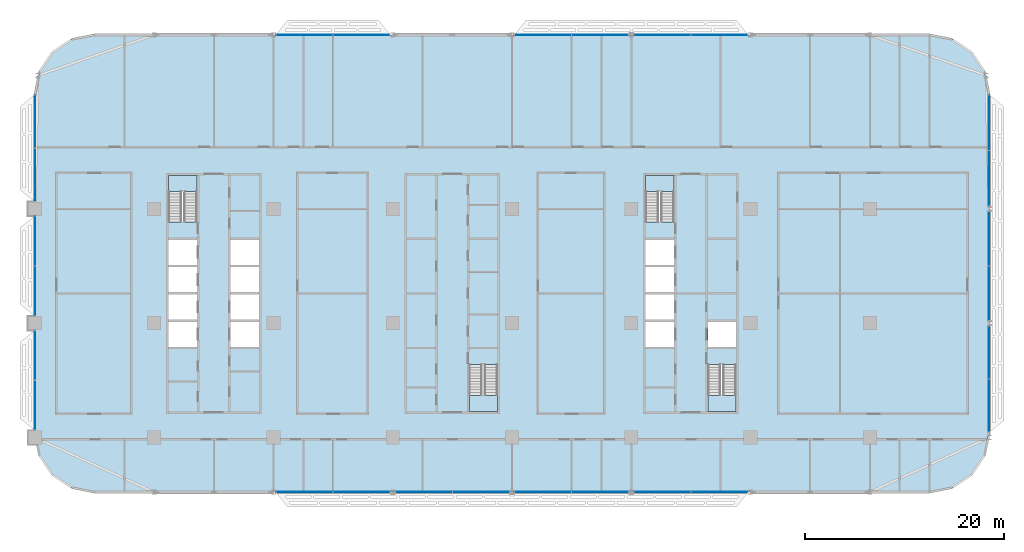
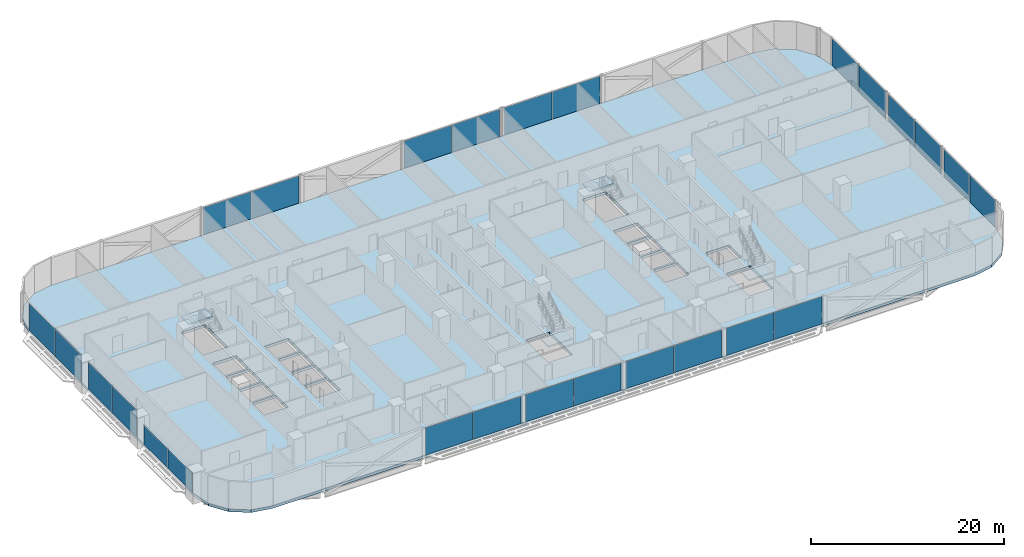
# One storey, part 11 of 29: 26 plates, 5 slabs, 17 elements without a shape of their own.
"""IFC4 building model written with IfcOpenShell, lengths in metres."""

from ifc_helpers import new_model, si_unit, direction, frame, origin, origin_2d, place, context, subcontext, project, spatial, polyline, rectangle, outline, extrude, material, layer, layer_set, type_object, element, aggregate, save


model = new_model("IFC4")

# Units and contexts
model_context = context("Model", 3, precision=1e-05, world=origin(), true_north=direction((0.0, 1.0)))
body_context = subcontext(model_context, "Body", "Model", "MODEL_VIEW")
ifc_project = project(units=[si_unit("LENGTHUNIT", "METRE"), si_unit("AREAUNIT", "SQUARE_METRE"), si_unit("VOLUMEUNIT", "CUBIC_METRE"), si_unit("PLANEANGLEUNIT", "RADIAN"), si_unit("MASSUNIT", "GRAM", prefix="KILO")], contexts=[model_context])

# Site, building, storey
site_placement = place(None, origin())
site = spatial("IfcSite", under=ifc_project, at=site_placement, CompositionType="ELEMENT")
building_placement = place(site_placement, origin())
building = spatial("IfcBuilding", under=site, at=building_placement, Name="Mahtab Terrace Research Tower", CompositionType="ELEMENT")
storey_placement = place(building_placement, frame((0.0, 0.0, 113.5)))
storey = spatial("IfcBuildingStorey", under=building, at=storey_placement, Name="L26", CompositionType="ELEMENT", Elevation=113.5)

# Stair, slab
ifc_material_1 = material(Name="Exit stair half-turn")
stair_type = type_object("IfcStairType", Name="Exit stair half-turn", PredefinedType="HALF_TURN_STAIR", material=ifc_material_1)
stair_1_placement = place(storey_placement, origin())
stair_1 = element("IfcStair", 1, at=stair_1_placement, inside=storey, type_object=stair_type, Name="L26 Protected exit stair ST1", PredefinedType="HALF_TURN_STAIR")
ifc_material_2 = material(Name="Concrete C40/50", Category="concrete")
ifc_layer_1 = layer(ifc_material_2, 0.199951171875)
ifc_layer_set_1 = layer_set([ifc_layer_1], Name="Exit stair landing 200")
slab_type_1 = type_object("IfcSlabType", Name="Exit stair landing 200", PredefinedType="LANDING", material=ifc_layer_set_1)
slab_1_placement = place(storey_placement, frame((0.0, 0.0, 1.85009765625)))
slab_1 = element("IfcSlab", 2, at=slab_1_placement, type_object=slab_type_1, Name="ST1 landing 1", PredefinedType="LANDING", context=body_context, shape_type="SweptSolid", body=[
    extrude(outline(polyline([(-25.699951171875, 13.2548828125), (-25.699951171875, 14.875), (-28.550048828125, 14.875), (-28.550048828125, 13.2548828125), (-25.699951171875, 13.2548828125)])), origin(), (0.0, 0.0, 1.0), 0.199951171875),
])
aggregate(stair_1, [slab_1])

stair_2_placement = place(storey_placement, origin())
stair_2 = element("IfcStair", 3, at=stair_2_placement, inside=storey, type_object=stair_type, Name="L26 Protected exit stair ST2", PredefinedType="HALF_TURN_STAIR")
slab_2_placement = place(storey_placement, frame((0.0, 0.0, 1.85009765625)))
slab_2 = element("IfcSlab", 4, at=slab_2_placement, type_object=slab_type_1, Name="ST2 landing 1", PredefinedType="LANDING", context=body_context, shape_type="SweptSolid", body=[
    extrude(outline(polyline([(1.699951171875, -7.2548828125), (1.699951171875, -8.875), (4.550048828125, -8.875), (4.550048828125, -7.2548828125), (1.699951171875, -7.2548828125)])), origin(), (0.0, 0.0, 1.0), 0.199951171875),
])
aggregate(stair_2, [slab_2])

stair_3_placement = place(storey_placement, origin())
stair_3 = element("IfcStair", 5, at=stair_3_placement, inside=storey, type_object=stair_type, Name="L26 Protected exit stair ST3", PredefinedType="HALF_TURN_STAIR")
slab_3_placement = place(storey_placement, frame((0.0, 0.0, 1.85009765625)))
slab_3 = element("IfcSlab", 6, at=slab_3_placement, type_object=slab_type_1, Name="ST3 landing 1", PredefinedType="LANDING", context=body_context, shape_type="SweptSolid", body=[
    extrude(outline(polyline([(22.300048828125, 13.2548828125), (22.300048828125, 14.875), (19.449951171875, 14.875), (19.449951171875, 13.2548828125), (22.300048828125, 13.2548828125)])), origin(), (0.0, 0.0, 1.0), 0.199951171875),
])
aggregate(stair_3, [slab_3])

stair_4_placement = place(storey_placement, origin())
stair_4 = element("IfcStair", 7, at=stair_4_placement, inside=storey, type_object=stair_type, Name="L26 Protected exit stair ST4", PredefinedType="HALF_TURN_STAIR")
slab_4_placement = place(storey_placement, frame((0.0, 0.0, 1.85009765625)))
slab_4 = element("IfcSlab", 8, at=slab_4_placement, type_object=slab_type_1, Name="ST4 landing 1", PredefinedType="LANDING", context=body_context, shape_type="SweptSolid", body=[
    extrude(outline(polyline([(25.699951171875, -7.2548828125), (25.699951171875, -8.875), (28.550048828125, -8.875), (28.550048828125, -7.2548828125), (25.699951171875, -7.2548828125)])), origin(), (0.0, 0.0, 1.0), 0.199951171875),
])
aggregate(stair_4, [slab_4])

# Curtain wall, plates
ifc_material_3 = material(Name="Laboratory ribbon curtain wall")
curtain_wall_type = type_object("IfcCurtainWallType", Name="Laboratory ribbon curtain wall", PredefinedType="NOTDEFINED", material=ifc_material_3)
curtain_wall_1_placement = place(storey_placement, origin())
curtain_wall_1 = element("IfcCurtainWall", 9, at=curtain_wall_1_placement, inside=storey, type_object=curtain_wall_type, Name="EN.L26.3.5", PredefinedType="NOTDEFINED")
ifc_material_4 = material(Name="Dark glazing", Category="glass")
ifc_layer_2 = layer(ifc_material_4, 0.031982421875)
ifc_layer_set_2 = layer_set([ifc_layer_2], Name="Laboratory ribbon curtain wall glazing panel")
plate_type = type_object("IfcPlateType", Name="Laboratory ribbon curtain wall glazing panel", PredefinedType="CURTAIN_PANEL", material=ifc_layer_set_2)
plate_1_placement = place(storey_placement, frame((26.86962890625, 29.0, 0.0), z_axis=(0.0, 0.0, 1.0), x_axis=(-1.0, 0.0, 0.0)))
plate_1 = element("IfcPlate", 10, at=plate_1_placement, type_object=plate_type, Name="CWL-3 panel 1", PredefinedType="CURTAIN_PANEL", context=body_context, shape_type="SweptSolid", body=[
    extrude(rectangle(XDim=5.674560546875, YDim=0.031982421875, at=origin_2d()), origin(), (0.0, 0.0, 1.0), 3.449951171875),
])
plate_2_placement = place(storey_placement, frame((21.13037109375, 29.0, 0.0), z_axis=(0.0, 0.0, 1.0), x_axis=(-1.0, 0.0, 0.0)))
plate_2 = element("IfcPlate", 11, at=plate_2_placement, type_object=plate_type, Name="CWL-3 panel 2", PredefinedType="CURTAIN_PANEL", context=body_context, shape_type="SweptSolid", body=[
    extrude(rectangle(XDim=5.674560546875, YDim=0.031982421875, at=origin_2d()), origin(), (0.0, 0.0, 1.0), 3.449951171875),
])
aggregate(curtain_wall_1, [plate_1, plate_2])

curtain_wall_2_placement = place(storey_placement, origin())
curtain_wall_2 = element("IfcCurtainWall", 12, at=curtain_wall_2_placement, inside=storey, type_object=curtain_wall_type, Name="EN.L26.3.6", PredefinedType="NOTDEFINED")
plate_3_placement = place(storey_placement, frame((14.86962890625, 29.0, 0.0), z_axis=(0.0, 0.0, 1.0), x_axis=(-1.0, 0.0, 0.0)))
plate_3 = element("IfcPlate", 13, at=plate_3_placement, type_object=plate_type, Name="CWL-3 panel 1", PredefinedType="CURTAIN_PANEL", context=body_context, shape_type="SweptSolid", body=[
    extrude(rectangle(XDim=5.674560546875, YDim=0.031982421875, at=origin_2d()), origin(), (0.0, 0.0, 1.0), 3.449951171875),
])
plate_4_placement = place(storey_placement, frame((9.13037109375, 29.0, 0.0), z_axis=(0.0, 0.0, 1.0), x_axis=(-1.0, 0.0, 0.0)))
plate_4 = element("IfcPlate", 14, at=plate_4_placement, type_object=plate_type, Name="CWL-3 panel 2", PredefinedType="CURTAIN_PANEL", context=body_context, shape_type="SweptSolid", body=[
    extrude(rectangle(XDim=5.674560546875, YDim=0.031982421875, at=origin_2d()), origin(), (0.0, 0.0, 1.0), 3.449951171875),
])
aggregate(curtain_wall_2, [plate_3, plate_4])

curtain_wall_3_placement = place(storey_placement, origin())
curtain_wall_3 = element("IfcCurtainWall", 15, at=curtain_wall_3_placement, inside=storey, type_object=curtain_wall_type, Name="EN.L26.3.8", PredefinedType="NOTDEFINED")
plate_5_placement = place(storey_placement, frame((-9.13037109375, 29.0, 0.0), z_axis=(0.0, 0.0, 1.0), x_axis=(-1.0, 0.0, 0.0)))
plate_5 = element("IfcPlate", 16, at=plate_5_placement, type_object=plate_type, Name="CWL-3 panel 1", PredefinedType="CURTAIN_PANEL", context=body_context, shape_type="SweptSolid", body=[
    extrude(rectangle(XDim=5.674560546875, YDim=0.031982421875, at=origin_2d()), origin(), (0.0, 0.0, 1.0), 3.449951171875),
])
plate_6_placement = place(storey_placement, frame((-14.86962890625, 29.0, 0.0), z_axis=(0.0, 0.0, 1.0), x_axis=(-1.0, 0.0, 0.0)))
plate_6 = element("IfcPlate", 17, at=plate_6_placement, type_object=plate_type, Name="CWL-3 panel 2", PredefinedType="CURTAIN_PANEL", context=body_context, shape_type="SweptSolid", body=[
    extrude(rectangle(XDim=5.674560546875, YDim=0.031982421875, at=origin_2d()), origin(), (0.0, 0.0, 1.0), 3.449951171875),
])
aggregate(curtain_wall_3, [plate_5, plate_6])

curtain_wall_4_placement = place(storey_placement, origin())
curtain_wall_4 = element("IfcCurtainWall", 18, at=curtain_wall_4_placement, inside=storey, type_object=curtain_wall_type, Name="EN.L26.8.16", PredefinedType="NOTDEFINED")
plate_7_placement = place(storey_placement, frame((-42.0, 20.28369140625, 0.0), z_axis=(0.0, 0.0, 1.0), x_axis=(0.0, -1.0, 0.0)))
plate_7 = element("IfcPlate", 19, at=plate_7_placement, type_object=plate_type, Name="CWL-3 panel 1", PredefinedType="CURTAIN_PANEL", context=body_context, shape_type="SweptSolid", body=[
    extrude(rectangle(XDim=5.302490234375, YDim=0.031982421875, at=origin_2d()), origin(), (0.0, 0.0, 1.0), 3.449951171875),
])
plate_8_placement = place(storey_placement, frame((-42.0, 14.916259765625, 0.0), z_axis=(0.0, 0.0, 1.0), x_axis=(0.0, -1.0, 0.0)))
plate_8 = element("IfcPlate", 20, at=plate_8_placement, type_object=plate_type, Name="CWL-3 panel 2", PredefinedType="CURTAIN_PANEL", context=body_context, shape_type="SweptSolid", body=[
    extrude(rectangle(XDim=5.302490234375, YDim=0.031982421875, at=origin_2d()), origin(), (0.0, 0.0, 1.0), 3.449951171875),
])
aggregate(curtain_wall_4, [plate_7, plate_8])

curtain_wall_5_placement = place(storey_placement, origin())
curtain_wall_5 = element("IfcCurtainWall", 21, at=curtain_wall_5_placement, inside=storey, type_object=curtain_wall_type, Name="EN.L26.8.17", PredefinedType="NOTDEFINED")
plate_9_placement = place(storey_placement, frame((-42.0, 8.2587890625, 0.0), z_axis=(0.0, 0.0, 1.0), x_axis=(0.0, -1.0, 0.0)))
plate_9 = element("IfcPlate", 22, at=plate_9_placement, type_object=plate_type, Name="CWL-3 panel 1", PredefinedType="CURTAIN_PANEL", context=body_context, shape_type="SweptSolid", body=[
    extrude(rectangle(XDim=4.952392578125, YDim=0.031982421875, at=origin_2d()), origin(), (0.0, 0.0, 1.0), 3.449951171875),
])
plate_10_placement = place(storey_placement, frame((-42.0, 3.2412109375, 0.0), z_axis=(0.0, 0.0, 1.0), x_axis=(0.0, -1.0, 0.0)))
plate_10 = element("IfcPlate", 23, at=plate_10_placement, type_object=plate_type, Name="CWL-3 panel 2", PredefinedType="CURTAIN_PANEL", context=body_context, shape_type="SweptSolid", body=[
    extrude(rectangle(XDim=4.952392578125, YDim=0.031982421875, at=origin_2d()), origin(), (0.0, 0.0, 1.0), 3.449951171875),
])
aggregate(curtain_wall_5, [plate_9, plate_10])

curtain_wall_6_placement = place(storey_placement, origin())
curtain_wall_6 = element("IfcCurtainWall", 24, at=curtain_wall_6_placement, inside=storey, type_object=curtain_wall_type, Name="EN.L26.8.18", PredefinedType="NOTDEFINED")
plate_11_placement = place(storey_placement, frame((-42.0, -3.2412109375, 0.0), z_axis=(0.0, 0.0, 1.0), x_axis=(0.0, -1.0, 0.0)))
plate_11 = element("IfcPlate", 25, at=plate_11_placement, type_object=plate_type, Name="CWL-3 panel 1", PredefinedType="CURTAIN_PANEL", context=body_context, shape_type="SweptSolid", body=[
    extrude(rectangle(XDim=4.952392578125, YDim=0.031982421875, at=origin_2d()), origin(), (0.0, 0.0, 1.0), 2.451171875),
])
plate_12_placement = place(storey_placement, frame((-42.0, -8.2587890625, 0.0), z_axis=(0.0, 0.0, 1.0), x_axis=(0.0, -1.0, 0.0)))
plate_12 = element("IfcPlate", 26, at=plate_12_placement, type_object=plate_type, Name="CWL-3 panel 2", PredefinedType="CURTAIN_PANEL", context=body_context, shape_type="SweptSolid", body=[
    extrude(rectangle(XDim=4.952392578125, YDim=0.031982421875, at=origin_2d()), origin(), (0.0, 0.0, 1.0), 2.451171875),
])
aggregate(curtain_wall_6, [plate_11, plate_12])

curtain_wall_7_placement = place(storey_placement, origin())
curtain_wall_7 = element("IfcCurtainWall", 27, at=curtain_wall_7_placement, inside=storey, type_object=curtain_wall_type, Name="EN.L26.13.25", PredefinedType="NOTDEFINED")
plate_13_placement = place(storey_placement, frame((-14.86962890625, -17.0, 0.0), z_axis=(0.0, 0.0, 1.0), x_axis=(1.0, 0.0, 0.0)))
plate_13 = element("IfcPlate", 28, at=plate_13_placement, type_object=plate_type, Name="CWL-3 panel 1", PredefinedType="CURTAIN_PANEL", context=body_context, shape_type="SweptSolid", body=[
    extrude(rectangle(XDim=5.674560546875, YDim=0.031982421875, at=origin_2d()), origin(), (0.0, 0.0, 1.0), 3.449951171875),
])
plate_14_placement = place(storey_placement, frame((-9.13037109375, -17.0, 0.0), z_axis=(0.0, 0.0, 1.0), x_axis=(1.0, 0.0, 0.0)))
plate_14 = element("IfcPlate", 29, at=plate_14_placement, type_object=plate_type, Name="CWL-3 panel 2", PredefinedType="CURTAIN_PANEL", context=body_context, shape_type="SweptSolid", body=[
    extrude(rectangle(XDim=5.674560546875, YDim=0.031982421875, at=origin_2d()), origin(), (0.0, 0.0, 1.0), 3.449951171875),
])
aggregate(curtain_wall_7, [plate_13, plate_14])

curtain_wall_8_placement = place(storey_placement, origin())
curtain_wall_8 = element("IfcCurtainWall", 30, at=curtain_wall_8_placement, inside=storey, type_object=curtain_wall_type, Name="EN.L26.13.26", PredefinedType="NOTDEFINED")
plate_15_placement = place(storey_placement, frame((-2.86962890625, -17.0, 0.0), z_axis=(0.0, 0.0, 1.0), x_axis=(1.0, 0.0, 0.0)))
plate_15 = element("IfcPlate", 31, at=plate_15_placement, type_object=plate_type, Name="CWL-3 panel 1", PredefinedType="CURTAIN_PANEL", context=body_context, shape_type="SweptSolid", body=[
    extrude(rectangle(XDim=5.674560546875, YDim=0.031982421875, at=origin_2d()), origin(), (0.0, 0.0, 1.0), 3.449951171875),
])
plate_16_placement = place(storey_placement, frame((2.86962890625, -17.0, 0.0), z_axis=(0.0, 0.0, 1.0), x_axis=(1.0, 0.0, 0.0)))
plate_16 = element("IfcPlate", 32, at=plate_16_placement, type_object=plate_type, Name="CWL-3 panel 2", PredefinedType="CURTAIN_PANEL", context=body_context, shape_type="SweptSolid", body=[
    extrude(rectangle(XDim=5.674560546875, YDim=0.031982421875, at=origin_2d()), origin(), (0.0, 0.0, 1.0), 3.449951171875),
])
aggregate(curtain_wall_8, [plate_15, plate_16])

curtain_wall_9_placement = place(storey_placement, origin())
curtain_wall_9 = element("IfcCurtainWall", 33, at=curtain_wall_9_placement, inside=storey, type_object=curtain_wall_type, Name="EN.L26.13.27", PredefinedType="NOTDEFINED")
plate_17_placement = place(storey_placement, frame((9.13037109375, -17.0, 0.0), z_axis=(0.0, 0.0, 1.0), x_axis=(1.0, 0.0, 0.0)))
plate_17 = element("IfcPlate", 34, at=plate_17_placement, type_object=plate_type, Name="CWL-3 panel 1", PredefinedType="CURTAIN_PANEL", context=body_context, shape_type="SweptSolid", body=[
    extrude(rectangle(XDim=5.674560546875, YDim=0.031982421875, at=origin_2d()), origin(), (0.0, 0.0, 1.0), 3.449951171875),
])
plate_18_placement = place(storey_placement, frame((14.86962890625, -17.0, 0.0), z_axis=(0.0, 0.0, 1.0), x_axis=(1.0, 0.0, 0.0)))
plate_18 = element("IfcPlate", 35, at=plate_18_placement, type_object=plate_type, Name="CWL-3 panel 2", PredefinedType="CURTAIN_PANEL", context=body_context, shape_type="SweptSolid", body=[
    extrude(rectangle(XDim=5.674560546875, YDim=0.031982421875, at=origin_2d()), origin(), (0.0, 0.0, 1.0), 3.449951171875),
])
aggregate(curtain_wall_9, [plate_17, plate_18])

curtain_wall_10_placement = place(storey_placement, origin())
curtain_wall_10 = element("IfcCurtainWall", 36, at=curtain_wall_10_placement, inside=storey, type_object=curtain_wall_type, Name="EN.L26.13.28", PredefinedType="NOTDEFINED")
plate_19_placement = place(storey_placement, frame((21.13037109375, -17.0, 0.0), z_axis=(0.0, 0.0, 1.0), x_axis=(1.0, 0.0, 0.0)))
plate_19 = element("IfcPlate", 37, at=plate_19_placement, type_object=plate_type, Name="CWL-3 panel 1", PredefinedType="CURTAIN_PANEL", context=body_context, shape_type="SweptSolid", body=[
    extrude(rectangle(XDim=5.674560546875, YDim=0.031982421875, at=origin_2d()), origin(), (0.0, 0.0, 1.0), 3.449951171875),
])
plate_20_placement = place(storey_placement, frame((26.86962890625, -17.0, 0.0), z_axis=(0.0, 0.0, 1.0), x_axis=(1.0, 0.0, 0.0)))
plate_20 = element("IfcPlate", 38, at=plate_20_placement, type_object=plate_type, Name="CWL-3 panel 2", PredefinedType="CURTAIN_PANEL", context=body_context, shape_type="SweptSolid", body=[
    extrude(rectangle(XDim=5.674560546875, YDim=0.031982421875, at=origin_2d()), origin(), (0.0, 0.0, 1.0), 3.449951171875),
])
aggregate(curtain_wall_10, [plate_19, plate_20])

curtain_wall_11_placement = place(storey_placement, origin())
curtain_wall_11 = element("IfcCurtainWall", 39, at=curtain_wall_11_placement, inside=storey, type_object=curtain_wall_type, Name="EN.L26.18.36", PredefinedType="NOTDEFINED")
plate_21_placement = place(storey_placement, frame((54.0, -8.290771484375, 0.0), z_axis=(0.0, 0.0, 1.0), x_axis=(0.0, 1.0, 0.0)))
plate_21 = element("IfcPlate", 40, at=plate_21_placement, type_object=plate_type, Name="CWL-3 panel 1", PredefinedType="CURTAIN_PANEL", context=body_context, shape_type="SweptSolid", body=[
    extrude(rectangle(XDim=5.28857421875, YDim=0.031982421875, at=origin_2d()), origin(), (0.0, 0.0, 1.0), 3.449951171875),
])
plate_22_placement = place(storey_placement, frame((54.0, -2.937255859375, 0.0), z_axis=(0.0, 0.0, 1.0), x_axis=(0.0, 1.0, 0.0)))
plate_22 = element("IfcPlate", 41, at=plate_22_placement, type_object=plate_type, Name="CWL-3 panel 2", PredefinedType="CURTAIN_PANEL", context=body_context, shape_type="SweptSolid", body=[
    extrude(rectangle(XDim=5.28857421875, YDim=0.031982421875, at=origin_2d()), origin(), (0.0, 0.0, 1.0), 3.449951171875),
])
aggregate(curtain_wall_11, [plate_21, plate_22])

curtain_wall_12_placement = place(storey_placement, origin())
curtain_wall_12 = element("IfcCurtainWall", 42, at=curtain_wall_12_placement, inside=storey, type_object=curtain_wall_type, Name="EN.L26.18.37", PredefinedType="NOTDEFINED")
plate_23_placement = place(storey_placement, frame((54.0, 3.00537109375, 0.0), z_axis=(0.0, 0.0, 1.0), x_axis=(0.0, 1.0, 0.0)))
plate_23 = element("IfcPlate", 43, at=plate_23_placement, type_object=plate_type, Name="CWL-3 panel 1", PredefinedType="CURTAIN_PANEL", context=body_context, shape_type="SweptSolid", body=[
    extrude(rectangle(XDim=5.424560546875, YDim=0.031982421875, at=origin_2d()), origin(), (0.0, 0.0, 1.0), 3.449951171875),
])
plate_24_placement = place(storey_placement, frame((54.0, 8.49462890625, 0.0), z_axis=(0.0, 0.0, 1.0), x_axis=(0.0, 1.0, 0.0)))
plate_24 = element("IfcPlate", 44, at=plate_24_placement, type_object=plate_type, Name="CWL-3 panel 2", PredefinedType="CURTAIN_PANEL", context=body_context, shape_type="SweptSolid", body=[
    extrude(rectangle(XDim=5.424560546875, YDim=0.031982421875, at=origin_2d()), origin(), (0.0, 0.0, 1.0), 3.449951171875),
])
aggregate(curtain_wall_12, [plate_23, plate_24])

curtain_wall_13_placement = place(storey_placement, origin())
curtain_wall_13 = element("IfcCurtainWall", 45, at=curtain_wall_13_placement, inside=storey, type_object=curtain_wall_type, Name="EN.L26.18.38", PredefinedType="NOTDEFINED")
plate_25_placement = place(storey_placement, frame((54.0, 14.562255859375, 0.0), z_axis=(0.0, 0.0, 1.0), x_axis=(0.0, 1.0, 0.0)))
plate_25 = element("IfcPlate", 46, at=plate_25_placement, type_object=plate_type, Name="CWL-3 panel 1", PredefinedType="CURTAIN_PANEL", context=body_context, shape_type="SweptSolid", body=[
    extrude(rectangle(XDim=5.53857421875, YDim=0.031982421875, at=origin_2d()), origin(), (0.0, 0.0, 1.0), 3.449951171875),
])
plate_26_placement = place(storey_placement, frame((54.0, 20.165771484375, 0.0), z_axis=(0.0, 0.0, 1.0), x_axis=(0.0, 1.0, 0.0)))
plate_26 = element("IfcPlate", 47, at=plate_26_placement, type_object=plate_type, Name="CWL-3 panel 2", PredefinedType="CURTAIN_PANEL", context=body_context, shape_type="SweptSolid", body=[
    extrude(rectangle(XDim=5.53857421875, YDim=0.031982421875, at=origin_2d()), origin(), (0.0, 0.0, 1.0), 3.449951171875),
])
aggregate(curtain_wall_13, [plate_25, plate_26])

# Slab
ifc_layer_3 = layer(ifc_material_2, 0.340087890625)
ifc_layer_set_3 = layer_set([ifc_layer_3], Name="PT flat slab 340")
slab_type_2 = type_object("IfcSlabType", Name="PT flat slab 340", PredefinedType="FLOOR", material=ifc_layer_set_3)
slab_5_placement = place(storey_placement, frame((0.0, 0.0, -0.340087890625)))
element("IfcSlab", 48, at=slab_5_placement, inside=storey, type_object=slab_type_2, Name="Floor slab L26", PredefinedType="FLOOR", context=body_context, shape_type="SweptSolid", body=[
    extrude(outline(polyline([(53.54296875, 25.2958984375), (52.242919921875, 27.242919921875), (50.2958984375, 28.54296875), (48.0, 29.0), (-36.0, 29.0), (-38.2958984375, 28.54296875), (-40.242919921875, 27.242919921875), (-41.54296875, 25.2958984375), (-42.0, 23.0), (-42.0, -11.0), (-41.54296875, -13.2958984375), (-40.242919921875, -15.242919921875), (-38.2958984375, -16.54296875), (-36.0, -17.0), (48.0, -17.0), (50.2958984375, -16.54296875), (52.242919921875, -15.242919921875), (53.54296875, -13.2958984375), (54.0, -11.0), (54.0, 23.0), (53.54296875, 25.2958984375)]), holes=[polyline([(-28.550048828125, -2.375), (-28.550048828125, 0.125), (-25.699951171875, 0.125), (-25.699951171875, -2.375), (-28.550048828125, -2.375)]), polyline([(-22.300048828125, -2.375), (-22.300048828125, 0.125), (-19.449951171875, 0.125), (-19.449951171875, -2.375), (-22.300048828125, -2.375)]), polyline([(-28.550048828125, 0.375), (-28.550048828125, 2.875), (-25.699951171875, 2.875), (-25.699951171875, 0.375), (-28.550048828125, 0.375)]), polyline([(-22.300048828125, 0.375), (-22.300048828125, 2.875), (-19.449951171875, 2.875), (-19.449951171875, 0.375), (-22.300048828125, 0.375)]), polyline([(-28.550048828125, 3.125), (-28.550048828125, 5.625), (-25.699951171875, 5.625), (-25.699951171875, 3.125), (-28.550048828125, 3.125)]), polyline([(-22.300048828125, 3.125), (-22.300048828125, 5.625), (-19.449951171875, 5.625), (-19.449951171875, 3.125), (-22.300048828125, 3.125)]), polyline([(-28.550048828125, 5.875), (-28.550048828125, 8.375), (-25.699951171875, 8.375), (-25.699951171875, 5.875), (-28.550048828125, 5.875)]), polyline([(-22.300048828125, 5.875), (-22.300048828125, 8.375), (-19.449951171875, 8.375), (-19.449951171875, 5.875), (-22.300048828125, 5.875)]), polyline([(-28.550048828125, 10.177001953125), (-28.550048828125, 14.875), (-25.699951171875, 14.875), (-25.699951171875, 10.177001953125), (-28.550048828125, 10.177001953125)]), polyline([(1.699951171875, -8.875), (1.699951171875, -4.177001953125), (4.550048828125, -4.177001953125), (4.550048828125, -8.875), (1.699951171875, -8.875)]), polyline([(25.699951171875, -8.875), (25.699951171875, -4.177001953125), (28.550048828125, -4.177001953125), (28.550048828125, -8.875), (25.699951171875, -8.875)]), polyline([(19.449951171875, -2.375), (19.449951171875, 0.125), (22.300048828125, 0.125), (22.300048828125, -2.375), (19.449951171875, -2.375)]), polyline([(25.699951171875, -2.375), (25.699951171875, 0.125), (28.550048828125, 0.125), (28.550048828125, -2.375), (25.699951171875, -2.375)]), polyline([(19.449951171875, 0.375), (19.449951171875, 2.875), (22.300048828125, 2.875), (22.300048828125, 0.375), (19.449951171875, 0.375)]), polyline([(19.449951171875, 3.125), (19.449951171875, 5.625), (22.300048828125, 5.625), (22.300048828125, 3.125), (19.449951171875, 3.125)]), polyline([(19.449951171875, 8.375), (22.300048828125, 8.375), (22.300048828125, 5.875), (19.449951171875, 5.875), (19.449951171875, 8.375)]), polyline([(19.449951171875, 14.875), (22.300048828125, 14.875), (22.300048828125, 10.177001953125), (19.449951171875, 10.177001953125), (19.449951171875, 14.875)])]), origin(), (0.0, 0.0, 1.0), 0.340087890625),
])

save(model, "model.ifc")
